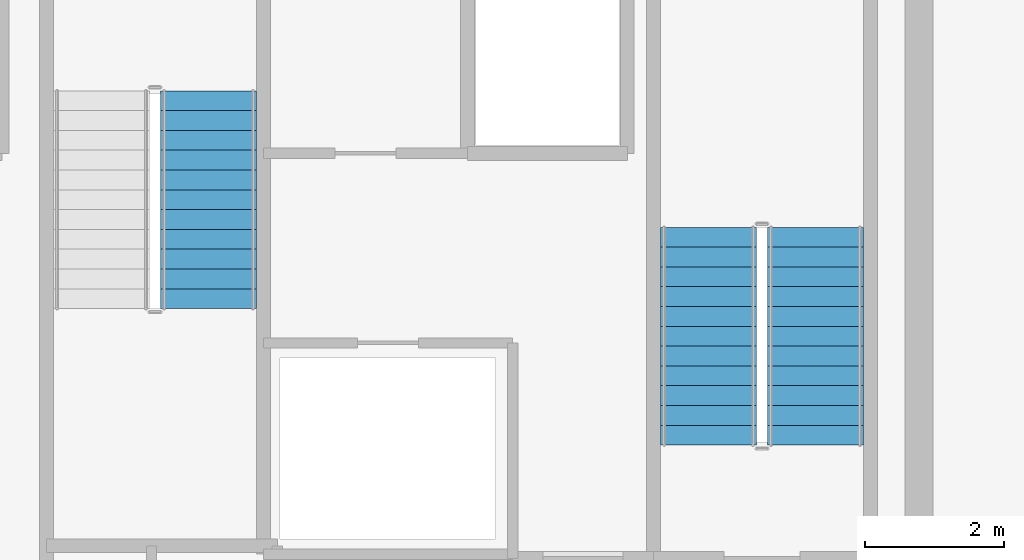
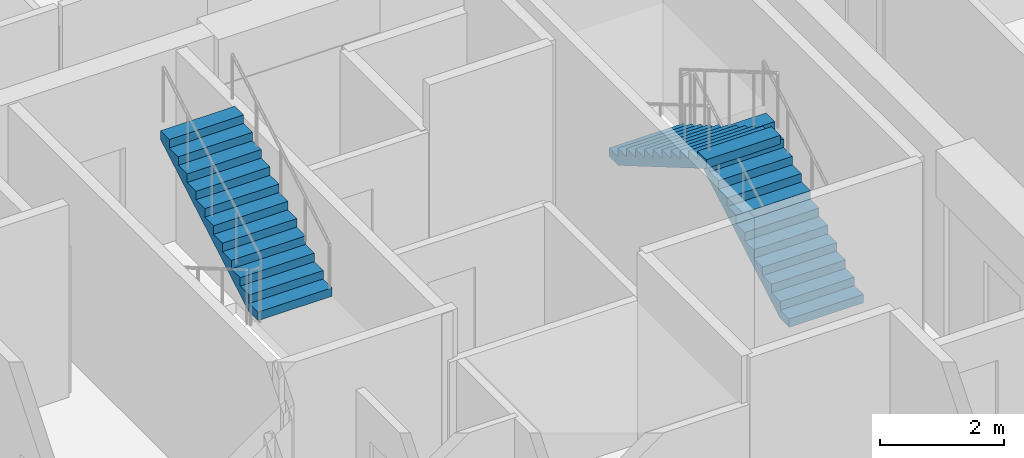
# One storey, part 17 of 21: 3 stair flights, 2 elements without a shape of their own.
"""IFC4 building model written with IfcOpenShell, lengths in metres."""

from ifc_helpers import new_model, si_unit, direction, frame, origin, place, context, subcontext, project, spatial, polyline, outline, extrude, material, type_object, element, aggregate, save


model = new_model("IFC4")

# Units and contexts
model_context = context("Model", 3, precision=1e-05, world=origin(), true_north=direction((0.0, 1.0)))
body_context = subcontext(model_context, "Body", "Model", "MODEL_VIEW")
ifc_project = project(units=[si_unit("LENGTHUNIT", "METRE"), si_unit("AREAUNIT", "SQUARE_METRE"), si_unit("VOLUMEUNIT", "CUBIC_METRE"), si_unit("PLANEANGLEUNIT", "RADIAN"), si_unit("MASSUNIT", "GRAM", prefix="KILO")], contexts=[model_context])

# Site, building, storey
site_placement = place(None, origin())
site = spatial("IfcSite", under=ifc_project, at=site_placement, CompositionType="ELEMENT")
building_placement = place(site_placement, origin())
building = spatial("IfcBuilding", under=site, at=building_placement, Name="Kovane Verandah Tower", CompositionType="ELEMENT")
storey_placement = place(building_placement, frame((0.0, 0.0, 310.800048828125)))
storey = spatial("IfcBuildingStorey", under=building, at=storey_placement, Name="L72", CompositionType="ELEMENT", Elevation=310.800048828125)

# Stair, stair flights
ifc_material = material(Name="Concrete C45/55", Category="concrete")
stair_type = type_object("IfcStairType", Name="ST-CORE-1380", PredefinedType="HALF_TURN_STAIR", material=ifc_material)
stair_1_placement = place(storey_placement, origin())
stair_1 = element("IfcStair", 1, at=stair_1_placement, inside=storey, type_object=stair_type, Name="L72 Exit Stair ST-02", PredefinedType="HALF_TURN_STAIR")
stair_flight_type = type_object("IfcStairFlightType", Name="STF-CORE-1380", PredefinedType="STRAIGHT", material=ifc_material)
stair_flight_1_placement = place(storey_placement, frame((49.510009765625, 29.25, 0.0), z_axis=(0.0, 0.0, 1.0), x_axis=(0.0, 1.0, 0.0)))
stair_flight_1 = element("IfcStairFlight", 2, at=stair_flight_1_placement, type_object=stair_flight_type, Name="ST-02 flight 1", NumberOfRisers=12, NumberOfTreads=11, PredefinedType="STRAIGHT", RiserHeight=0.166666667, TreadLength=0.285, context=body_context, shape_type="SweptSolid", body=[
    extrude(outline(polyline([(0.0, 0.0), (0.0, 0.166748046875), (0.284912109375, 0.166748046875), (0.284912109375, 0.333251953125), (0.570068359375, 0.333251953125), (0.570068359375, 0.5), (0.85498046875, 0.5), (0.85498046875, 0.666748046875), (1.139892578125, 0.666748046875), (1.139892578125, 0.833251953125), (1.425048828125, 0.833251953125), (1.425048828125, 1.0), (1.7099609375, 1.0), (1.7099609375, 1.166748046875), (1.9951171875, 1.166748046875), (1.9951171875, 1.333251953125), (2.280029296875, 1.333251953125), (2.280029296875, 1.5), (2.56494140625, 1.5), (2.56494140625, 1.666748046875), (2.85009765625, 1.666748046875), (2.85009765625, 1.833251953125), (3.135009765625, 1.833251953125), (3.135009765625, 2.0), (3.135009765625, 1.65966796875), (0.296875, 0.0), (0.0, 0.0)])), frame((0.0, 0.68994140625, 0.0), z_axis=(0.0, -1.0, 0.0), x_axis=(1.0, 0.0, 0.0)), (0.0, 0.0, 1.0), 1.3798828125),
])
stair_flight_2_placement = place(storey_placement, frame((47.969970703125, 32.385009765625, 2.0), z_axis=(0.0, 0.0, 1.0), x_axis=(0.0, -1.0, 0.0)))
stair_flight_2 = element("IfcStairFlight", 3, at=stair_flight_2_placement, type_object=stair_flight_type, Name="ST-02 flight 2", NumberOfRisers=12, NumberOfTreads=11, PredefinedType="STRAIGHT", RiserHeight=0.166666667, TreadLength=0.285, context=body_context, shape_type="SweptSolid", body=[
    extrude(outline(polyline([(0.0, 0.0), (0.0, 0.166748046875), (0.284912109375, 0.166748046875), (0.284912109375, 0.333251953125), (0.570068359375, 0.333251953125), (0.570068359375, 0.5), (0.85498046875, 0.5), (0.85498046875, 0.666748046875), (1.139892578125, 0.666748046875), (1.139892578125, 0.833251953125), (1.425048828125, 0.833251953125), (1.425048828125, 1.0), (1.7099609375, 1.0), (1.7099609375, 1.166748046875), (1.9951171875, 1.166748046875), (1.9951171875, 1.333251953125), (2.280029296875, 1.333251953125), (2.280029296875, 1.5), (2.56494140625, 1.5), (2.56494140625, 1.666748046875), (2.85009765625, 1.666748046875), (2.85009765625, 1.833251953125), (3.135009765625, 1.833251953125), (3.135009765625, 2.0), (3.135009765625, 1.65966796875), (0.296875, 0.0), (0.0, 0.0)])), frame((0.0, 0.68994140625, 0.0), z_axis=(0.0, -1.0, 0.0), x_axis=(1.0, 0.0, 0.0)), (0.0, 0.0, 1.0), 1.3798828125),
])
aggregate(stair_1, [stair_flight_1, stair_flight_2])

# Stair, stair flight
stair_2_placement = place(storey_placement, origin())
stair_2 = element("IfcStair", 4, at=stair_2_placement, inside=storey, type_object=stair_type, Name="L72 Exit Stair ST-03", PredefinedType="HALF_TURN_STAIR")
stair_flight_3_placement = place(storey_placement, frame((40.77001953125, 31.215087890625, 2.0), z_axis=(0.0, 0.0, 1.0), x_axis=(0.0, 1.0, 0.0)))
stair_flight_3 = element("IfcStairFlight", 5, at=stair_flight_3_placement, type_object=stair_flight_type, Name="ST-03 flight 2", NumberOfRisers=12, NumberOfTreads=11, PredefinedType="STRAIGHT", RiserHeight=0.166666667, TreadLength=0.285, context=body_context, shape_type="SweptSolid", body=[
    extrude(outline(polyline([(0.0, 0.0), (0.0, 0.166748046875), (0.284912109375, 0.166748046875), (0.284912109375, 0.333251953125), (0.570068359375, 0.333251953125), (0.570068359375, 0.5), (0.85498046875, 0.5), (0.85498046875, 0.666748046875), (1.139892578125, 0.666748046875), (1.139892578125, 0.833251953125), (1.425048828125, 0.833251953125), (1.425048828125, 1.0), (1.7099609375, 1.0), (1.7099609375, 1.166748046875), (1.9951171875, 1.166748046875), (1.9951171875, 1.333251953125), (2.280029296875, 1.333251953125), (2.280029296875, 1.5), (2.56494140625, 1.5), (2.56494140625, 1.666748046875), (2.85009765625, 1.666748046875), (2.85009765625, 1.833251953125), (3.135009765625, 1.833251953125), (3.135009765625, 2.0), (3.135009765625, 1.65966796875), (0.296875, 0.0), (0.0, 0.0)])), frame((0.0, 0.68994140625, 0.0), z_axis=(0.0, -1.0, 0.0), x_axis=(1.0, 0.0, 0.0)), (0.0, 0.0, 1.0), 1.3798828125),
])
aggregate(stair_2, [stair_flight_3])

save(model, "model.ifc")
